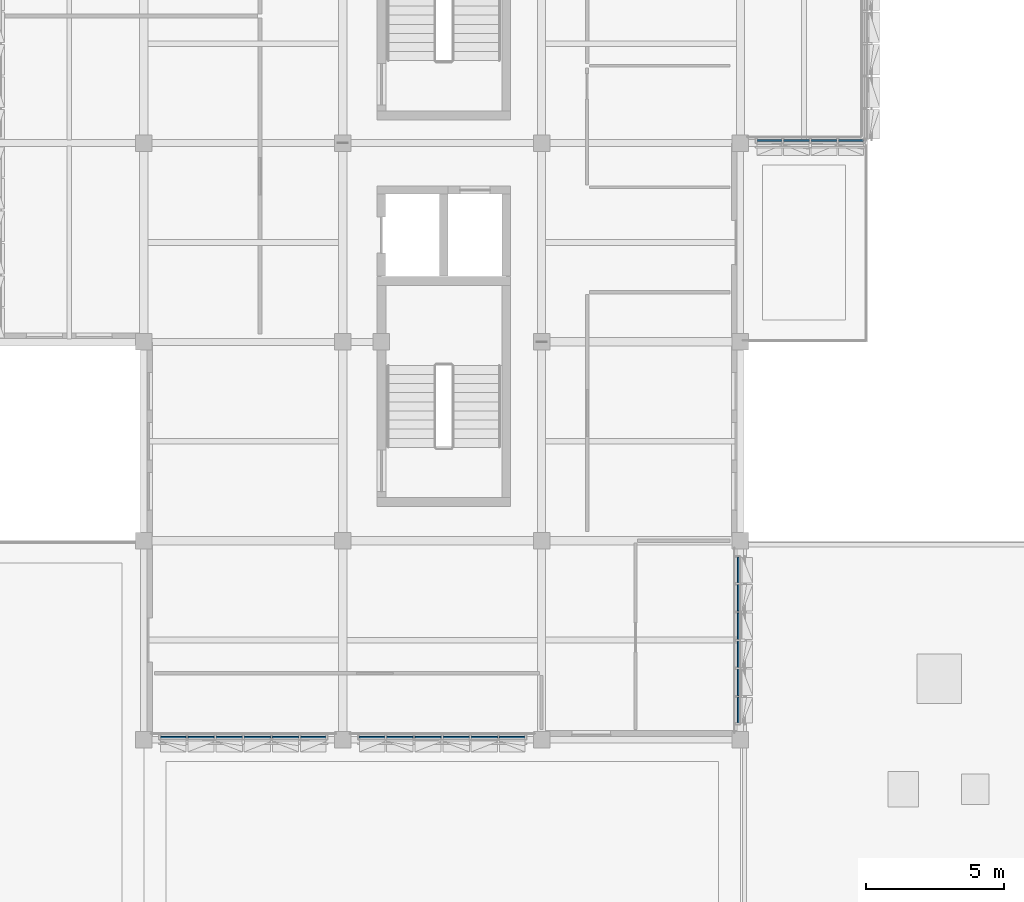
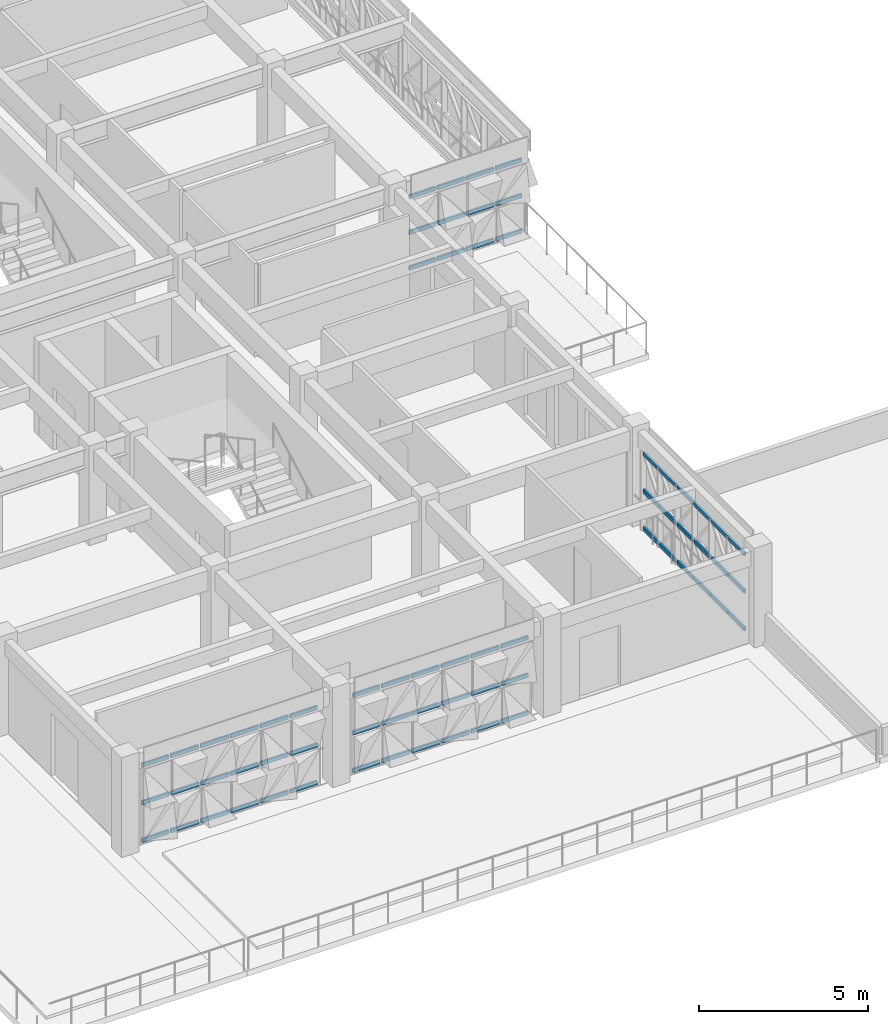
# One storey, part 16 of 74: 66 members, 4 elements without a shape of their own.
"""IFC4 building model written with IfcOpenShell, lengths in metres."""

from ifc_helpers import new_model, si_unit, direction, frame, origin, origin_2d, place, context, subcontext, project, spatial, rectangle, extrude, material, material_profile, profile_set, type_object, element, aggregate, save


model = new_model("IFC4")

# Units and contexts
model_context = context("Model", 3, precision=1e-05, world=origin(), true_north=direction((0.0, 1.0)))
body_context = subcontext(model_context, "Body", "Model", "MODEL_VIEW")
ifc_project = project(units=[si_unit("LENGTHUNIT", "METRE"), si_unit("AREAUNIT", "SQUARE_METRE"), si_unit("VOLUMEUNIT", "CUBIC_METRE"), si_unit("PLANEANGLEUNIT", "RADIAN"), si_unit("MASSUNIT", "GRAM", prefix="KILO")], contexts=[model_context])

# Site, building, storey
site_placement = place(None, origin())
site = spatial("IfcSite", under=ifc_project, at=site_placement, CompositionType="ELEMENT")
building_placement = place(site_placement, origin())
building = spatial("IfcBuilding", under=site, at=building_placement, Name="Alvorim Cloister Faculty of Sciences", CompositionType="ELEMENT")
storey_placement = place(building_placement, frame((0.0, 0.0, 15.75)))
storey = spatial("IfcBuildingStorey", under=building, at=storey_placement, Name="L04", CompositionType="ELEMENT", Elevation=15.75)

# Curtain wall, members
ifc_material_1 = material(Name="Aluminium and Low-E Glass Curtain Wall", Category="aluminium")
curtain_wall_type_1 = type_object("IfcCurtainWallType", Name="CW-TRI-3980x2706", PredefinedType="USERDEFINED", material=ifc_material_1)
curtain_wall_1_placement = place(storey_placement, origin())
curtain_wall_1 = element("IfcCurtainWall", 1, at=curtain_wall_1_placement, inside=storey, type_object=curtain_wall_type_1, Name="L04 Diagonal Cassette Curtain Wall CW-0199", ObjectType="UNITISED CURTAIN WALL", PredefinedType="USERDEFINED")
ifc_material_2 = material(Name="Aluminium Alloy 6063-T6", Category="aluminium")
ifc_material_profile = material_profile(ifc_material_2, rectangle(XDim=0.06494140625, YDim=0.139892578125, at=origin_2d()), Name="ALU-TRN-65x140")
ifc_profile_set = profile_set([ifc_material_profile], Name="Aluminium Alloy 6063-T6")
member_type = type_object("IfcMemberType", Name="CW-TRN-65x140", PredefinedType="USERDEFINED", material=ifc_profile_set)
member_1_placement = place(storey_placement, frame((29.405029296875, 28.889892578125, 0.070068359375), z_axis=(1.0, 0.0, 0.0), x_axis=(0.0, 1.0, 0.0)))
member_1 = element("IfcMember", 2, at=member_1_placement, type_object=member_type, Name="CW-0199 Transom 1.1", ObjectType="TRANSOM", PredefinedType="USERDEFINED", context=body_context, shape_type="SweptSolid", body=[
    extrude(rectangle(XDim=0.06494140625, YDim=0.139892578125, at=origin_2d()), origin(), (0.0, 0.0, 1.0), 0.8974609375),
])
member_2_placement = place(storey_placement, frame((29.405029296875, 28.889892578125, 1.35302734375), z_axis=(1.0, 0.0, 0.0), x_axis=(0.0, 1.0, 0.0)))
member_2 = element("IfcMember", 3, at=member_2_placement, type_object=member_type, Name="CW-0199 Transom 1.2", ObjectType="TRANSOM", PredefinedType="USERDEFINED", context=body_context, shape_type="SweptSolid", body=[
    extrude(rectangle(XDim=0.06494140625, YDim=0.139892578125, at=origin_2d()), origin(), (0.0, 0.0, 1.0), 0.8974609375),
])
member_3_placement = place(storey_placement, frame((29.405029296875, 28.889892578125, 2.635986328125), z_axis=(1.0, 0.0, 0.0), x_axis=(0.0, 1.0, 0.0)))
member_3 = element("IfcMember", 4, at=member_3_placement, type_object=member_type, Name="CW-0199 Transom 1.3", ObjectType="TRANSOM", PredefinedType="USERDEFINED", context=body_context, shape_type="SweptSolid", body=[
    extrude(rectangle(XDim=0.06494140625, YDim=0.139892578125, at=origin_2d()), origin(), (0.0, 0.0, 1.0), 0.8974609375),
])
member_4_placement = place(storey_placement, frame((30.367431640625, 28.889892578125, 0.070068359375), z_axis=(1.0, 0.0, 0.0), x_axis=(0.0, 1.0, 0.0)))
member_4 = element("IfcMember", 5, at=member_4_placement, type_object=member_type, Name="CW-0199 Transom 2.1", ObjectType="TRANSOM", PredefinedType="USERDEFINED", context=body_context, shape_type="SweptSolid", body=[
    extrude(rectangle(XDim=0.06494140625, YDim=0.139892578125, at=origin_2d()), origin(), (0.0, 0.0, 1.0), 0.93017578125),
])
member_5_placement = place(storey_placement, frame((30.367431640625, 28.889892578125, 1.35302734375), z_axis=(1.0, 0.0, 0.0), x_axis=(0.0, 1.0, 0.0)))
member_5 = element("IfcMember", 6, at=member_5_placement, type_object=member_type, Name="CW-0199 Transom 2.2", ObjectType="TRANSOM", PredefinedType="USERDEFINED", context=body_context, shape_type="SweptSolid", body=[
    extrude(rectangle(XDim=0.06494140625, YDim=0.139892578125, at=origin_2d()), origin(), (0.0, 0.0, 1.0), 0.93017578125),
])
member_6_placement = place(storey_placement, frame((30.367431640625, 28.889892578125, 2.635986328125), z_axis=(1.0, 0.0, 0.0), x_axis=(0.0, 1.0, 0.0)))
member_6 = element("IfcMember", 7, at=member_6_placement, type_object=member_type, Name="CW-0199 Transom 2.3", ObjectType="TRANSOM", PredefinedType="USERDEFINED", context=body_context, shape_type="SweptSolid", body=[
    extrude(rectangle(XDim=0.06494140625, YDim=0.139892578125, at=origin_2d()), origin(), (0.0, 0.0, 1.0), 0.93017578125),
])
member_7_placement = place(storey_placement, frame((31.362548828125, 28.889892578125, 0.070068359375), z_axis=(1.0, 0.0, 0.0), x_axis=(0.0, 1.0, 0.0)))
member_7 = element("IfcMember", 8, at=member_7_placement, type_object=member_type, Name="CW-0199 Transom 3.1", ObjectType="TRANSOM", PredefinedType="USERDEFINED", context=body_context, shape_type="SweptSolid", body=[
    extrude(rectangle(XDim=0.06494140625, YDim=0.139892578125, at=origin_2d()), origin(), (0.0, 0.0, 1.0), 0.929931640625),
])
member_8_placement = place(storey_placement, frame((31.362548828125, 28.889892578125, 1.35302734375), z_axis=(1.0, 0.0, 0.0), x_axis=(0.0, 1.0, 0.0)))
member_8 = element("IfcMember", 9, at=member_8_placement, type_object=member_type, Name="CW-0199 Transom 3.2", ObjectType="TRANSOM", PredefinedType="USERDEFINED", context=body_context, shape_type="SweptSolid", body=[
    extrude(rectangle(XDim=0.06494140625, YDim=0.139892578125, at=origin_2d()), origin(), (0.0, 0.0, 1.0), 0.929931640625),
])
member_9_placement = place(storey_placement, frame((31.362548828125, 28.889892578125, 2.635986328125), z_axis=(1.0, 0.0, 0.0), x_axis=(0.0, 1.0, 0.0)))
member_9 = element("IfcMember", 10, at=member_9_placement, type_object=member_type, Name="CW-0199 Transom 3.3", ObjectType="TRANSOM", PredefinedType="USERDEFINED", context=body_context, shape_type="SweptSolid", body=[
    extrude(rectangle(XDim=0.06494140625, YDim=0.139892578125, at=origin_2d()), origin(), (0.0, 0.0, 1.0), 0.929931640625),
])
member_10_placement = place(storey_placement, frame((32.357421875, 28.889892578125, 0.070068359375), z_axis=(1.0, 0.0, 0.0), x_axis=(0.0, 1.0, 0.0)))
member_10 = element("IfcMember", 11, at=member_10_placement, type_object=member_type, Name="CW-0199 Transom 4.1", ObjectType="TRANSOM", PredefinedType="USERDEFINED", context=body_context, shape_type="SweptSolid", body=[
    extrude(rectangle(XDim=0.06494140625, YDim=0.139892578125, at=origin_2d()), origin(), (0.0, 0.0, 1.0), 0.8974609375),
])
member_11_placement = place(storey_placement, frame((32.357421875, 28.889892578125, 1.35302734375), z_axis=(1.0, 0.0, 0.0), x_axis=(0.0, 1.0, 0.0)))
member_11 = element("IfcMember", 12, at=member_11_placement, type_object=member_type, Name="CW-0199 Transom 4.2", ObjectType="TRANSOM", PredefinedType="USERDEFINED", context=body_context, shape_type="SweptSolid", body=[
    extrude(rectangle(XDim=0.06494140625, YDim=0.139892578125, at=origin_2d()), origin(), (0.0, 0.0, 1.0), 0.8974609375),
])
member_12_placement = place(storey_placement, frame((32.357421875, 28.889892578125, 2.635986328125), z_axis=(1.0, 0.0, 0.0), x_axis=(0.0, 1.0, 0.0)))
member_12 = element("IfcMember", 13, at=member_12_placement, type_object=member_type, Name="CW-0199 Transom 4.3", ObjectType="TRANSOM", PredefinedType="USERDEFINED", context=body_context, shape_type="SweptSolid", body=[
    extrude(rectangle(XDim=0.06494140625, YDim=0.139892578125, at=origin_2d()), origin(), (0.0, 0.0, 1.0), 0.8974609375),
])
aggregate(curtain_wall_1, [member_1, member_2, member_3, member_4, member_5, member_6, member_7, member_8, member_9, member_10, member_11, member_12])

curtain_wall_type_2 = type_object("IfcCurtainWallType", Name="CW-TRI-6120x2850", PredefinedType="USERDEFINED", material=ifc_material_1)
curtain_wall_2_placement = place(storey_placement, origin())
curtain_wall_2 = element("IfcCurtainWall", 14, at=curtain_wall_2_placement, inside=storey, type_object=curtain_wall_type_2, Name="L04 Diagonal Cassette Curtain Wall CW-0200", ObjectType="UNITISED CURTAIN WALL", PredefinedType="USERDEFINED")
member_13_placement = place(storey_placement, frame((28.7099609375, 7.804931640625, 0.070068359375), z_axis=(0.0, 1.0, 0.0), x_axis=(-1.0, 0.0, 0.0)))
member_13 = element("IfcMember", 15, at=member_13_placement, type_object=member_type, Name="CW-0200 Transom 1.1", ObjectType="TRANSOM", PredefinedType="USERDEFINED", context=body_context, shape_type="SweptSolid", body=[
    extrude(rectangle(XDim=0.06494140625, YDim=0.139892578125, at=origin_2d()), origin(), (0.0, 0.0, 1.0), 0.922607421875),
])
member_14_placement = place(storey_placement, frame((28.7099609375, 7.804931640625, 1.425048828125), z_axis=(0.0, 1.0, 0.0), x_axis=(-1.0, 0.0, 0.0)))
member_14 = element("IfcMember", 16, at=member_14_placement, type_object=member_type, Name="CW-0200 Transom 1.2", ObjectType="TRANSOM", PredefinedType="USERDEFINED", context=body_context, shape_type="SweptSolid", body=[
    extrude(rectangle(XDim=0.06494140625, YDim=0.139892578125, at=origin_2d()), origin(), (0.0, 0.0, 1.0), 0.922607421875),
])
member_15_placement = place(storey_placement, frame((28.7099609375, 7.804931640625, 2.780029296875), z_axis=(0.0, 1.0, 0.0), x_axis=(-1.0, 0.0, 0.0)))
member_15 = element("IfcMember", 17, at=member_15_placement, type_object=member_type, Name="CW-0200 Transom 1.3", ObjectType="TRANSOM", PredefinedType="USERDEFINED", context=body_context, shape_type="SweptSolid", body=[
    extrude(rectangle(XDim=0.06494140625, YDim=0.139892578125, at=origin_2d()), origin(), (0.0, 0.0, 1.0), 0.922607421875),
])
member_16_placement = place(storey_placement, frame((28.7099609375, 8.79248046875, 0.070068359375), z_axis=(0.0, 1.0, 0.0), x_axis=(-1.0, 0.0, 0.0)))
member_16 = element("IfcMember", 18, at=member_16_placement, type_object=member_type, Name="CW-0200 Transom 2.1", ObjectType="TRANSOM", PredefinedType="USERDEFINED", context=body_context, shape_type="SweptSolid", body=[
    extrude(rectangle(XDim=0.06494140625, YDim=0.139892578125, at=origin_2d()), origin(), (0.0, 0.0, 1.0), 0.955078125),
])
member_17_placement = place(storey_placement, frame((28.7099609375, 8.79248046875, 1.425048828125), z_axis=(0.0, 1.0, 0.0), x_axis=(-1.0, 0.0, 0.0)))
member_17 = element("IfcMember", 19, at=member_17_placement, type_object=member_type, Name="CW-0200 Transom 2.2", ObjectType="TRANSOM", PredefinedType="USERDEFINED", context=body_context, shape_type="SweptSolid", body=[
    extrude(rectangle(XDim=0.06494140625, YDim=0.139892578125, at=origin_2d()), origin(), (0.0, 0.0, 1.0), 0.955078125),
])
member_18_placement = place(storey_placement, frame((28.7099609375, 8.79248046875, 2.780029296875), z_axis=(0.0, 1.0, 0.0), x_axis=(-1.0, 0.0, 0.0)))
member_18 = element("IfcMember", 20, at=member_18_placement, type_object=member_type, Name="CW-0200 Transom 2.3", ObjectType="TRANSOM", PredefinedType="USERDEFINED", context=body_context, shape_type="SweptSolid", body=[
    extrude(rectangle(XDim=0.06494140625, YDim=0.139892578125, at=origin_2d()), origin(), (0.0, 0.0, 1.0), 0.955078125),
])
member_19_placement = place(storey_placement, frame((28.7099609375, 9.8125, 0.070068359375), z_axis=(0.0, 1.0, 0.0), x_axis=(-1.0, 0.0, 0.0)))
member_19 = element("IfcMember", 21, at=member_19_placement, type_object=member_type, Name="CW-0200 Transom 3.1", ObjectType="TRANSOM", PredefinedType="USERDEFINED", context=body_context, shape_type="SweptSolid", body=[
    extrude(rectangle(XDim=0.06494140625, YDim=0.139892578125, at=origin_2d()), origin(), (0.0, 0.0, 1.0), 0.955078125),
])
member_20_placement = place(storey_placement, frame((28.7099609375, 9.8125, 1.425048828125), z_axis=(0.0, 1.0, 0.0), x_axis=(-1.0, 0.0, 0.0)))
member_20 = element("IfcMember", 22, at=member_20_placement, type_object=member_type, Name="CW-0200 Transom 3.2", ObjectType="TRANSOM", PredefinedType="USERDEFINED", context=body_context, shape_type="SweptSolid", body=[
    extrude(rectangle(XDim=0.06494140625, YDim=0.139892578125, at=origin_2d()), origin(), (0.0, 0.0, 1.0), 0.955078125),
])
member_21_placement = place(storey_placement, frame((28.7099609375, 9.8125, 2.780029296875), z_axis=(0.0, 1.0, 0.0), x_axis=(-1.0, 0.0, 0.0)))
member_21 = element("IfcMember", 23, at=member_21_placement, type_object=member_type, Name="CW-0200 Transom 3.3", ObjectType="TRANSOM", PredefinedType="USERDEFINED", context=body_context, shape_type="SweptSolid", body=[
    extrude(rectangle(XDim=0.06494140625, YDim=0.139892578125, at=origin_2d()), origin(), (0.0, 0.0, 1.0), 0.955078125),
])
member_22_placement = place(storey_placement, frame((28.7099609375, 10.83251953125, 0.070068359375), z_axis=(0.0, 1.0, 0.0), x_axis=(-1.0, 0.0, 0.0)))
member_22 = element("IfcMember", 24, at=member_22_placement, type_object=member_type, Name="CW-0200 Transom 4.1", ObjectType="TRANSOM", PredefinedType="USERDEFINED", context=body_context, shape_type="SweptSolid", body=[
    extrude(rectangle(XDim=0.06494140625, YDim=0.139892578125, at=origin_2d()), origin(), (0.0, 0.0, 1.0), 0.955078125),
])
member_23_placement = place(storey_placement, frame((28.7099609375, 10.83251953125, 1.425048828125), z_axis=(0.0, 1.0, 0.0), x_axis=(-1.0, 0.0, 0.0)))
member_23 = element("IfcMember", 25, at=member_23_placement, type_object=member_type, Name="CW-0200 Transom 4.2", ObjectType="TRANSOM", PredefinedType="USERDEFINED", context=body_context, shape_type="SweptSolid", body=[
    extrude(rectangle(XDim=0.06494140625, YDim=0.139892578125, at=origin_2d()), origin(), (0.0, 0.0, 1.0), 0.955078125),
])
member_24_placement = place(storey_placement, frame((28.7099609375, 10.83251953125, 2.780029296875), z_axis=(0.0, 1.0, 0.0), x_axis=(-1.0, 0.0, 0.0)))
member_24 = element("IfcMember", 26, at=member_24_placement, type_object=member_type, Name="CW-0200 Transom 4.3", ObjectType="TRANSOM", PredefinedType="USERDEFINED", context=body_context, shape_type="SweptSolid", body=[
    extrude(rectangle(XDim=0.06494140625, YDim=0.139892578125, at=origin_2d()), origin(), (0.0, 0.0, 1.0), 0.955078125),
])
member_25_placement = place(storey_placement, frame((28.7099609375, 11.8525390625, 0.070068359375), z_axis=(0.0, 1.0, 0.0), x_axis=(-1.0, 0.0, 0.0)))
member_25 = element("IfcMember", 27, at=member_25_placement, type_object=member_type, Name="CW-0200 Transom 5.1", ObjectType="TRANSOM", PredefinedType="USERDEFINED", context=body_context, shape_type="SweptSolid", body=[
    extrude(rectangle(XDim=0.06494140625, YDim=0.139892578125, at=origin_2d()), origin(), (0.0, 0.0, 1.0), 0.955078125),
])
member_26_placement = place(storey_placement, frame((28.7099609375, 11.8525390625, 1.425048828125), z_axis=(0.0, 1.0, 0.0), x_axis=(-1.0, 0.0, 0.0)))
member_26 = element("IfcMember", 28, at=member_26_placement, type_object=member_type, Name="CW-0200 Transom 5.2", ObjectType="TRANSOM", PredefinedType="USERDEFINED", context=body_context, shape_type="SweptSolid", body=[
    extrude(rectangle(XDim=0.06494140625, YDim=0.139892578125, at=origin_2d()), origin(), (0.0, 0.0, 1.0), 0.955078125),
])
member_27_placement = place(storey_placement, frame((28.7099609375, 11.8525390625, 2.780029296875), z_axis=(0.0, 1.0, 0.0), x_axis=(-1.0, 0.0, 0.0)))
member_27 = element("IfcMember", 29, at=member_27_placement, type_object=member_type, Name="CW-0200 Transom 5.3", ObjectType="TRANSOM", PredefinedType="USERDEFINED", context=body_context, shape_type="SweptSolid", body=[
    extrude(rectangle(XDim=0.06494140625, YDim=0.139892578125, at=origin_2d()), origin(), (0.0, 0.0, 1.0), 0.955078125),
])
member_28_placement = place(storey_placement, frame((28.7099609375, 12.87255859375, 0.070068359375), z_axis=(0.0, 1.0, 0.0), x_axis=(-1.0, 0.0, 0.0)))
member_28 = element("IfcMember", 30, at=member_28_placement, type_object=member_type, Name="CW-0200 Transom 6.1", ObjectType="TRANSOM", PredefinedType="USERDEFINED", context=body_context, shape_type="SweptSolid", body=[
    extrude(rectangle(XDim=0.06494140625, YDim=0.139892578125, at=origin_2d()), origin(), (0.0, 0.0, 1.0), 0.92236328125),
])
member_29_placement = place(storey_placement, frame((28.7099609375, 12.87255859375, 1.425048828125), z_axis=(0.0, 1.0, 0.0), x_axis=(-1.0, 0.0, 0.0)))
member_29 = element("IfcMember", 31, at=member_29_placement, type_object=member_type, Name="CW-0200 Transom 6.2", ObjectType="TRANSOM", PredefinedType="USERDEFINED", context=body_context, shape_type="SweptSolid", body=[
    extrude(rectangle(XDim=0.06494140625, YDim=0.139892578125, at=origin_2d()), origin(), (0.0, 0.0, 1.0), 0.92236328125),
])
member_30_placement = place(storey_placement, frame((28.7099609375, 12.87255859375, 2.780029296875), z_axis=(0.0, 1.0, 0.0), x_axis=(-1.0, 0.0, 0.0)))
member_30 = element("IfcMember", 32, at=member_30_placement, type_object=member_type, Name="CW-0200 Transom 6.3", ObjectType="TRANSOM", PredefinedType="USERDEFINED", context=body_context, shape_type="SweptSolid", body=[
    extrude(rectangle(XDim=0.06494140625, YDim=0.139892578125, at=origin_2d()), origin(), (0.0, 0.0, 1.0), 0.92236328125),
])
aggregate(curtain_wall_2, [member_13, member_14, member_15, member_16, member_17, member_18, member_19, member_20, member_21, member_22, member_23, member_24, member_25, member_26, member_27, member_28, member_29, member_30])

curtain_wall_3_placement = place(storey_placement, origin())
curtain_wall_3 = element("IfcCurtainWall", 33, at=curtain_wall_3_placement, inside=storey, type_object=curtain_wall_type_2, Name="L04 Diagonal Cassette Curtain Wall CW-0201", ObjectType="UNITISED CURTAIN WALL", PredefinedType="USERDEFINED")
member_31_placement = place(storey_placement, frame((15.0048828125, 7.2900390625, 0.070068359375), z_axis=(1.0, 0.0, 0.0), x_axis=(0.0, 1.0, 0.0)))
member_31 = element("IfcMember", 34, at=member_31_placement, type_object=member_type, Name="CW-0201 Transom 1.1", ObjectType="TRANSOM", PredefinedType="USERDEFINED", context=body_context, shape_type="SweptSolid", body=[
    extrude(rectangle(XDim=0.06494140625, YDim=0.139892578125, at=origin_2d()), origin(), (0.0, 0.0, 1.0), 0.922607421875),
])
member_32_placement = place(storey_placement, frame((15.0048828125, 7.2900390625, 1.425048828125), z_axis=(1.0, 0.0, 0.0), x_axis=(0.0, 1.0, 0.0)))
member_32 = element("IfcMember", 35, at=member_32_placement, type_object=member_type, Name="CW-0201 Transom 1.2", ObjectType="TRANSOM", PredefinedType="USERDEFINED", context=body_context, shape_type="SweptSolid", body=[
    extrude(rectangle(XDim=0.06494140625, YDim=0.139892578125, at=origin_2d()), origin(), (0.0, 0.0, 1.0), 0.922607421875),
])
member_33_placement = place(storey_placement, frame((15.0048828125, 7.2900390625, 2.780029296875), z_axis=(1.0, 0.0, 0.0), x_axis=(0.0, 1.0, 0.0)))
member_33 = element("IfcMember", 36, at=member_33_placement, type_object=member_type, Name="CW-0201 Transom 1.3", ObjectType="TRANSOM", PredefinedType="USERDEFINED", context=body_context, shape_type="SweptSolid", body=[
    extrude(rectangle(XDim=0.06494140625, YDim=0.139892578125, at=origin_2d()), origin(), (0.0, 0.0, 1.0), 0.922607421875),
])
member_34_placement = place(storey_placement, frame((15.992431640625, 7.2900390625, 0.070068359375), z_axis=(1.0, 0.0, 0.0), x_axis=(0.0, 1.0, 0.0)))
member_34 = element("IfcMember", 37, at=member_34_placement, type_object=member_type, Name="CW-0201 Transom 2.1", ObjectType="TRANSOM", PredefinedType="USERDEFINED", context=body_context, shape_type="SweptSolid", body=[
    extrude(rectangle(XDim=0.06494140625, YDim=0.139892578125, at=origin_2d()), origin(), (0.0, 0.0, 1.0), 0.955078125),
])
member_35_placement = place(storey_placement, frame((15.992431640625, 7.2900390625, 1.425048828125), z_axis=(1.0, 0.0, 0.0), x_axis=(0.0, 1.0, 0.0)))
member_35 = element("IfcMember", 38, at=member_35_placement, type_object=member_type, Name="CW-0201 Transom 2.2", ObjectType="TRANSOM", PredefinedType="USERDEFINED", context=body_context, shape_type="SweptSolid", body=[
    extrude(rectangle(XDim=0.06494140625, YDim=0.139892578125, at=origin_2d()), origin(), (0.0, 0.0, 1.0), 0.955078125),
])
member_36_placement = place(storey_placement, frame((15.992431640625, 7.2900390625, 2.780029296875), z_axis=(1.0, 0.0, 0.0), x_axis=(0.0, 1.0, 0.0)))
member_36 = element("IfcMember", 39, at=member_36_placement, type_object=member_type, Name="CW-0201 Transom 2.3", ObjectType="TRANSOM", PredefinedType="USERDEFINED", context=body_context, shape_type="SweptSolid", body=[
    extrude(rectangle(XDim=0.06494140625, YDim=0.139892578125, at=origin_2d()), origin(), (0.0, 0.0, 1.0), 0.955078125),
])
member_37_placement = place(storey_placement, frame((17.012451171875, 7.2900390625, 0.070068359375), z_axis=(1.0, 0.0, 0.0), x_axis=(0.0, 1.0, 0.0)))
member_37 = element("IfcMember", 40, at=member_37_placement, type_object=member_type, Name="CW-0201 Transom 3.1", ObjectType="TRANSOM", PredefinedType="USERDEFINED", context=body_context, shape_type="SweptSolid", body=[
    extrude(rectangle(XDim=0.06494140625, YDim=0.139892578125, at=origin_2d()), origin(), (0.0, 0.0, 1.0), 0.955078125),
])
member_38_placement = place(storey_placement, frame((17.012451171875, 7.2900390625, 1.425048828125), z_axis=(1.0, 0.0, 0.0), x_axis=(0.0, 1.0, 0.0)))
member_38 = element("IfcMember", 41, at=member_38_placement, type_object=member_type, Name="CW-0201 Transom 3.2", ObjectType="TRANSOM", PredefinedType="USERDEFINED", context=body_context, shape_type="SweptSolid", body=[
    extrude(rectangle(XDim=0.06494140625, YDim=0.139892578125, at=origin_2d()), origin(), (0.0, 0.0, 1.0), 0.955078125),
])
member_39_placement = place(storey_placement, frame((17.012451171875, 7.2900390625, 2.780029296875), z_axis=(1.0, 0.0, 0.0), x_axis=(0.0, 1.0, 0.0)))
member_39 = element("IfcMember", 42, at=member_39_placement, type_object=member_type, Name="CW-0201 Transom 3.3", ObjectType="TRANSOM", PredefinedType="USERDEFINED", context=body_context, shape_type="SweptSolid", body=[
    extrude(rectangle(XDim=0.06494140625, YDim=0.139892578125, at=origin_2d()), origin(), (0.0, 0.0, 1.0), 0.955078125),
])
member_40_placement = place(storey_placement, frame((18.032470703125, 7.2900390625, 0.070068359375), z_axis=(1.0, 0.0, 0.0), x_axis=(0.0, 1.0, 0.0)))
member_40 = element("IfcMember", 43, at=member_40_placement, type_object=member_type, Name="CW-0201 Transom 4.1", ObjectType="TRANSOM", PredefinedType="USERDEFINED", context=body_context, shape_type="SweptSolid", body=[
    extrude(rectangle(XDim=0.06494140625, YDim=0.139892578125, at=origin_2d()), origin(), (0.0, 0.0, 1.0), 0.955078125),
])
member_41_placement = place(storey_placement, frame((18.032470703125, 7.2900390625, 1.425048828125), z_axis=(1.0, 0.0, 0.0), x_axis=(0.0, 1.0, 0.0)))
member_41 = element("IfcMember", 44, at=member_41_placement, type_object=member_type, Name="CW-0201 Transom 4.2", ObjectType="TRANSOM", PredefinedType="USERDEFINED", context=body_context, shape_type="SweptSolid", body=[
    extrude(rectangle(XDim=0.06494140625, YDim=0.139892578125, at=origin_2d()), origin(), (0.0, 0.0, 1.0), 0.955078125),
])
member_42_placement = place(storey_placement, frame((18.032470703125, 7.2900390625, 2.780029296875), z_axis=(1.0, 0.0, 0.0), x_axis=(0.0, 1.0, 0.0)))
member_42 = element("IfcMember", 45, at=member_42_placement, type_object=member_type, Name="CW-0201 Transom 4.3", ObjectType="TRANSOM", PredefinedType="USERDEFINED", context=body_context, shape_type="SweptSolid", body=[
    extrude(rectangle(XDim=0.06494140625, YDim=0.139892578125, at=origin_2d()), origin(), (0.0, 0.0, 1.0), 0.955078125),
])
member_43_placement = place(storey_placement, frame((19.052490234375, 7.2900390625, 0.070068359375), z_axis=(1.0, 0.0, 0.0), x_axis=(0.0, 1.0, 0.0)))
member_43 = element("IfcMember", 46, at=member_43_placement, type_object=member_type, Name="CW-0201 Transom 5.1", ObjectType="TRANSOM", PredefinedType="USERDEFINED", context=body_context, shape_type="SweptSolid", body=[
    extrude(rectangle(XDim=0.06494140625, YDim=0.139892578125, at=origin_2d()), origin(), (0.0, 0.0, 1.0), 0.955078125),
])
member_44_placement = place(storey_placement, frame((19.052490234375, 7.2900390625, 1.425048828125), z_axis=(1.0, 0.0, 0.0), x_axis=(0.0, 1.0, 0.0)))
member_44 = element("IfcMember", 47, at=member_44_placement, type_object=member_type, Name="CW-0201 Transom 5.2", ObjectType="TRANSOM", PredefinedType="USERDEFINED", context=body_context, shape_type="SweptSolid", body=[
    extrude(rectangle(XDim=0.06494140625, YDim=0.139892578125, at=origin_2d()), origin(), (0.0, 0.0, 1.0), 0.955078125),
])
member_45_placement = place(storey_placement, frame((19.052490234375, 7.2900390625, 2.780029296875), z_axis=(1.0, 0.0, 0.0), x_axis=(0.0, 1.0, 0.0)))
member_45 = element("IfcMember", 48, at=member_45_placement, type_object=member_type, Name="CW-0201 Transom 5.3", ObjectType="TRANSOM", PredefinedType="USERDEFINED", context=body_context, shape_type="SweptSolid", body=[
    extrude(rectangle(XDim=0.06494140625, YDim=0.139892578125, at=origin_2d()), origin(), (0.0, 0.0, 1.0), 0.955078125),
])
member_46_placement = place(storey_placement, frame((20.072509765625, 7.2900390625, 0.070068359375), z_axis=(1.0, 0.0, 0.0), x_axis=(0.0, 1.0, 0.0)))
member_46 = element("IfcMember", 49, at=member_46_placement, type_object=member_type, Name="CW-0201 Transom 6.1", ObjectType="TRANSOM", PredefinedType="USERDEFINED", context=body_context, shape_type="SweptSolid", body=[
    extrude(rectangle(XDim=0.06494140625, YDim=0.139892578125, at=origin_2d()), origin(), (0.0, 0.0, 1.0), 0.922607421875),
])
member_47_placement = place(storey_placement, frame((20.072509765625, 7.2900390625, 1.425048828125), z_axis=(1.0, 0.0, 0.0), x_axis=(0.0, 1.0, 0.0)))
member_47 = element("IfcMember", 50, at=member_47_placement, type_object=member_type, Name="CW-0201 Transom 6.2", ObjectType="TRANSOM", PredefinedType="USERDEFINED", context=body_context, shape_type="SweptSolid", body=[
    extrude(rectangle(XDim=0.06494140625, YDim=0.139892578125, at=origin_2d()), origin(), (0.0, 0.0, 1.0), 0.922607421875),
])
member_48_placement = place(storey_placement, frame((20.072509765625, 7.2900390625, 2.780029296875), z_axis=(1.0, 0.0, 0.0), x_axis=(0.0, 1.0, 0.0)))
member_48 = element("IfcMember", 51, at=member_48_placement, type_object=member_type, Name="CW-0201 Transom 6.3", ObjectType="TRANSOM", PredefinedType="USERDEFINED", context=body_context, shape_type="SweptSolid", body=[
    extrude(rectangle(XDim=0.06494140625, YDim=0.139892578125, at=origin_2d()), origin(), (0.0, 0.0, 1.0), 0.922607421875),
])
aggregate(curtain_wall_3, [member_31, member_32, member_33, member_34, member_35, member_36, member_37, member_38, member_39, member_40, member_41, member_42, member_43, member_44, member_45, member_46, member_47, member_48])

curtain_wall_4_placement = place(storey_placement, origin())
curtain_wall_4 = element("IfcCurtainWall", 52, at=curtain_wall_4_placement, inside=storey, type_object=curtain_wall_type_2, Name="L04 Diagonal Cassette Curtain Wall CW-0202", ObjectType="UNITISED CURTAIN WALL", PredefinedType="USERDEFINED")
member_49_placement = place(storey_placement, frame((7.804931640625, 7.2900390625, 0.070068359375), z_axis=(1.0, 0.0, 0.0), x_axis=(0.0, 1.0, 0.0)))
member_49 = element("IfcMember", 53, at=member_49_placement, type_object=member_type, Name="CW-0202 Transom 1.1", ObjectType="TRANSOM", PredefinedType="USERDEFINED", context=body_context, shape_type="SweptSolid", body=[
    extrude(rectangle(XDim=0.06494140625, YDim=0.139892578125, at=origin_2d()), origin(), (0.0, 0.0, 1.0), 0.922607421875),
])
member_50_placement = place(storey_placement, frame((7.804931640625, 7.2900390625, 1.425048828125), z_axis=(1.0, 0.0, 0.0), x_axis=(0.0, 1.0, 0.0)))
member_50 = element("IfcMember", 54, at=member_50_placement, type_object=member_type, Name="CW-0202 Transom 1.2", ObjectType="TRANSOM", PredefinedType="USERDEFINED", context=body_context, shape_type="SweptSolid", body=[
    extrude(rectangle(XDim=0.06494140625, YDim=0.139892578125, at=origin_2d()), origin(), (0.0, 0.0, 1.0), 0.922607421875),
])
member_51_placement = place(storey_placement, frame((7.804931640625, 7.2900390625, 2.780029296875), z_axis=(1.0, 0.0, 0.0), x_axis=(0.0, 1.0, 0.0)))
member_51 = element("IfcMember", 55, at=member_51_placement, type_object=member_type, Name="CW-0202 Transom 1.3", ObjectType="TRANSOM", PredefinedType="USERDEFINED", context=body_context, shape_type="SweptSolid", body=[
    extrude(rectangle(XDim=0.06494140625, YDim=0.139892578125, at=origin_2d()), origin(), (0.0, 0.0, 1.0), 0.922607421875),
])
member_52_placement = place(storey_placement, frame((8.79248046875, 7.2900390625, 0.070068359375), z_axis=(1.0, 0.0, 0.0), x_axis=(0.0, 1.0, 0.0)))
member_52 = element("IfcMember", 56, at=member_52_placement, type_object=member_type, Name="CW-0202 Transom 2.1", ObjectType="TRANSOM", PredefinedType="USERDEFINED", context=body_context, shape_type="SweptSolid", body=[
    extrude(rectangle(XDim=0.06494140625, YDim=0.139892578125, at=origin_2d()), origin(), (0.0, 0.0, 1.0), 0.955078125),
])
member_53_placement = place(storey_placement, frame((8.79248046875, 7.2900390625, 1.425048828125), z_axis=(1.0, 0.0, 0.0), x_axis=(0.0, 1.0, 0.0)))
member_53 = element("IfcMember", 57, at=member_53_placement, type_object=member_type, Name="CW-0202 Transom 2.2", ObjectType="TRANSOM", PredefinedType="USERDEFINED", context=body_context, shape_type="SweptSolid", body=[
    extrude(rectangle(XDim=0.06494140625, YDim=0.139892578125, at=origin_2d()), origin(), (0.0, 0.0, 1.0), 0.955078125),
])
member_54_placement = place(storey_placement, frame((8.79248046875, 7.2900390625, 2.780029296875), z_axis=(1.0, 0.0, 0.0), x_axis=(0.0, 1.0, 0.0)))
member_54 = element("IfcMember", 58, at=member_54_placement, type_object=member_type, Name="CW-0202 Transom 2.3", ObjectType="TRANSOM", PredefinedType="USERDEFINED", context=body_context, shape_type="SweptSolid", body=[
    extrude(rectangle(XDim=0.06494140625, YDim=0.139892578125, at=origin_2d()), origin(), (0.0, 0.0, 1.0), 0.955078125),
])
member_55_placement = place(storey_placement, frame((9.8125, 7.2900390625, 0.070068359375), z_axis=(1.0, 0.0, 0.0), x_axis=(0.0, 1.0, 0.0)))
member_55 = element("IfcMember", 59, at=member_55_placement, type_object=member_type, Name="CW-0202 Transom 3.1", ObjectType="TRANSOM", PredefinedType="USERDEFINED", context=body_context, shape_type="SweptSolid", body=[
    extrude(rectangle(XDim=0.06494140625, YDim=0.139892578125, at=origin_2d()), origin(), (0.0, 0.0, 1.0), 0.955078125),
])
member_56_placement = place(storey_placement, frame((9.8125, 7.2900390625, 1.425048828125), z_axis=(1.0, 0.0, 0.0), x_axis=(0.0, 1.0, 0.0)))
member_56 = element("IfcMember", 60, at=member_56_placement, type_object=member_type, Name="CW-0202 Transom 3.2", ObjectType="TRANSOM", PredefinedType="USERDEFINED", context=body_context, shape_type="SweptSolid", body=[
    extrude(rectangle(XDim=0.06494140625, YDim=0.139892578125, at=origin_2d()), origin(), (0.0, 0.0, 1.0), 0.955078125),
])
member_57_placement = place(storey_placement, frame((9.8125, 7.2900390625, 2.780029296875), z_axis=(1.0, 0.0, 0.0), x_axis=(0.0, 1.0, 0.0)))
member_57 = element("IfcMember", 61, at=member_57_placement, type_object=member_type, Name="CW-0202 Transom 3.3", ObjectType="TRANSOM", PredefinedType="USERDEFINED", context=body_context, shape_type="SweptSolid", body=[
    extrude(rectangle(XDim=0.06494140625, YDim=0.139892578125, at=origin_2d()), origin(), (0.0, 0.0, 1.0), 0.955078125),
])
member_58_placement = place(storey_placement, frame((10.83251953125, 7.2900390625, 0.070068359375), z_axis=(1.0, 0.0, 0.0), x_axis=(0.0, 1.0, 0.0)))
member_58 = element("IfcMember", 62, at=member_58_placement, type_object=member_type, Name="CW-0202 Transom 4.1", ObjectType="TRANSOM", PredefinedType="USERDEFINED", context=body_context, shape_type="SweptSolid", body=[
    extrude(rectangle(XDim=0.06494140625, YDim=0.139892578125, at=origin_2d()), origin(), (0.0, 0.0, 1.0), 0.955078125),
])
member_59_placement = place(storey_placement, frame((10.83251953125, 7.2900390625, 1.425048828125), z_axis=(1.0, 0.0, 0.0), x_axis=(0.0, 1.0, 0.0)))
member_59 = element("IfcMember", 63, at=member_59_placement, type_object=member_type, Name="CW-0202 Transom 4.2", ObjectType="TRANSOM", PredefinedType="USERDEFINED", context=body_context, shape_type="SweptSolid", body=[
    extrude(rectangle(XDim=0.06494140625, YDim=0.139892578125, at=origin_2d()), origin(), (0.0, 0.0, 1.0), 0.955078125),
])
member_60_placement = place(storey_placement, frame((10.83251953125, 7.2900390625, 2.780029296875), z_axis=(1.0, 0.0, 0.0), x_axis=(0.0, 1.0, 0.0)))
member_60 = element("IfcMember", 64, at=member_60_placement, type_object=member_type, Name="CW-0202 Transom 4.3", ObjectType="TRANSOM", PredefinedType="USERDEFINED", context=body_context, shape_type="SweptSolid", body=[
    extrude(rectangle(XDim=0.06494140625, YDim=0.139892578125, at=origin_2d()), origin(), (0.0, 0.0, 1.0), 0.955078125),
])
member_61_placement = place(storey_placement, frame((11.8525390625, 7.2900390625, 0.070068359375), z_axis=(1.0, 0.0, 0.0), x_axis=(0.0, 1.0, 0.0)))
member_61 = element("IfcMember", 65, at=member_61_placement, type_object=member_type, Name="CW-0202 Transom 5.1", ObjectType="TRANSOM", PredefinedType="USERDEFINED", context=body_context, shape_type="SweptSolid", body=[
    extrude(rectangle(XDim=0.06494140625, YDim=0.139892578125, at=origin_2d()), origin(), (0.0, 0.0, 1.0), 0.955078125),
])
member_62_placement = place(storey_placement, frame((11.8525390625, 7.2900390625, 1.425048828125), z_axis=(1.0, 0.0, 0.0), x_axis=(0.0, 1.0, 0.0)))
member_62 = element("IfcMember", 66, at=member_62_placement, type_object=member_type, Name="CW-0202 Transom 5.2", ObjectType="TRANSOM", PredefinedType="USERDEFINED", context=body_context, shape_type="SweptSolid", body=[
    extrude(rectangle(XDim=0.06494140625, YDim=0.139892578125, at=origin_2d()), origin(), (0.0, 0.0, 1.0), 0.955078125),
])
member_63_placement = place(storey_placement, frame((11.8525390625, 7.2900390625, 2.780029296875), z_axis=(1.0, 0.0, 0.0), x_axis=(0.0, 1.0, 0.0)))
member_63 = element("IfcMember", 67, at=member_63_placement, type_object=member_type, Name="CW-0202 Transom 5.3", ObjectType="TRANSOM", PredefinedType="USERDEFINED", context=body_context, shape_type="SweptSolid", body=[
    extrude(rectangle(XDim=0.06494140625, YDim=0.139892578125, at=origin_2d()), origin(), (0.0, 0.0, 1.0), 0.955078125),
])
member_64_placement = place(storey_placement, frame((12.87255859375, 7.2900390625, 0.070068359375), z_axis=(1.0, 0.0, 0.0), x_axis=(0.0, 1.0, 0.0)))
member_64 = element("IfcMember", 68, at=member_64_placement, type_object=member_type, Name="CW-0202 Transom 6.1", ObjectType="TRANSOM", PredefinedType="USERDEFINED", context=body_context, shape_type="SweptSolid", body=[
    extrude(rectangle(XDim=0.06494140625, YDim=0.139892578125, at=origin_2d()), origin(), (0.0, 0.0, 1.0), 0.92236328125),
])
member_65_placement = place(storey_placement, frame((12.87255859375, 7.2900390625, 1.425048828125), z_axis=(1.0, 0.0, 0.0), x_axis=(0.0, 1.0, 0.0)))
member_65 = element("IfcMember", 69, at=member_65_placement, type_object=member_type, Name="CW-0202 Transom 6.2", ObjectType="TRANSOM", PredefinedType="USERDEFINED", context=body_context, shape_type="SweptSolid", body=[
    extrude(rectangle(XDim=0.06494140625, YDim=0.139892578125, at=origin_2d()), origin(), (0.0, 0.0, 1.0), 0.92236328125),
])
member_66_placement = place(storey_placement, frame((12.87255859375, 7.2900390625, 2.780029296875), z_axis=(1.0, 0.0, 0.0), x_axis=(0.0, 1.0, 0.0)))
member_66 = element("IfcMember", 70, at=member_66_placement, type_object=member_type, Name="CW-0202 Transom 6.3", ObjectType="TRANSOM", PredefinedType="USERDEFINED", context=body_context, shape_type="SweptSolid", body=[
    extrude(rectangle(XDim=0.06494140625, YDim=0.139892578125, at=origin_2d()), origin(), (0.0, 0.0, 1.0), 0.92236328125),
])
aggregate(curtain_wall_4, [member_49, member_50, member_51, member_52, member_53, member_54, member_55, member_56, member_57, member_58, member_59, member_60, member_61, member_62, member_63, member_64, member_65, member_66])

save(model, "model.ifc")
